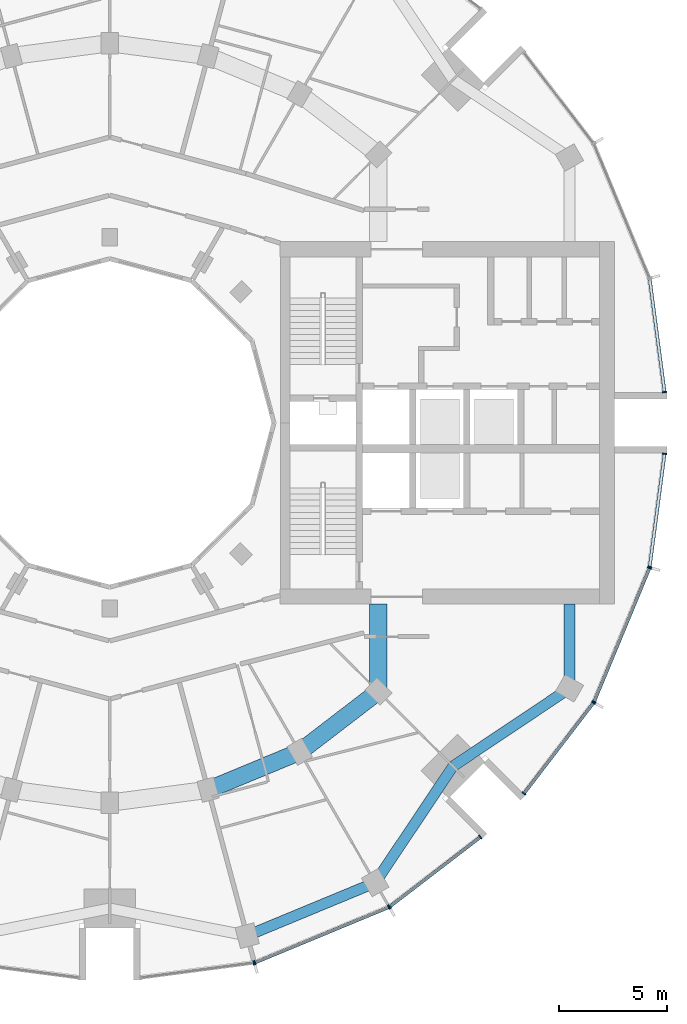
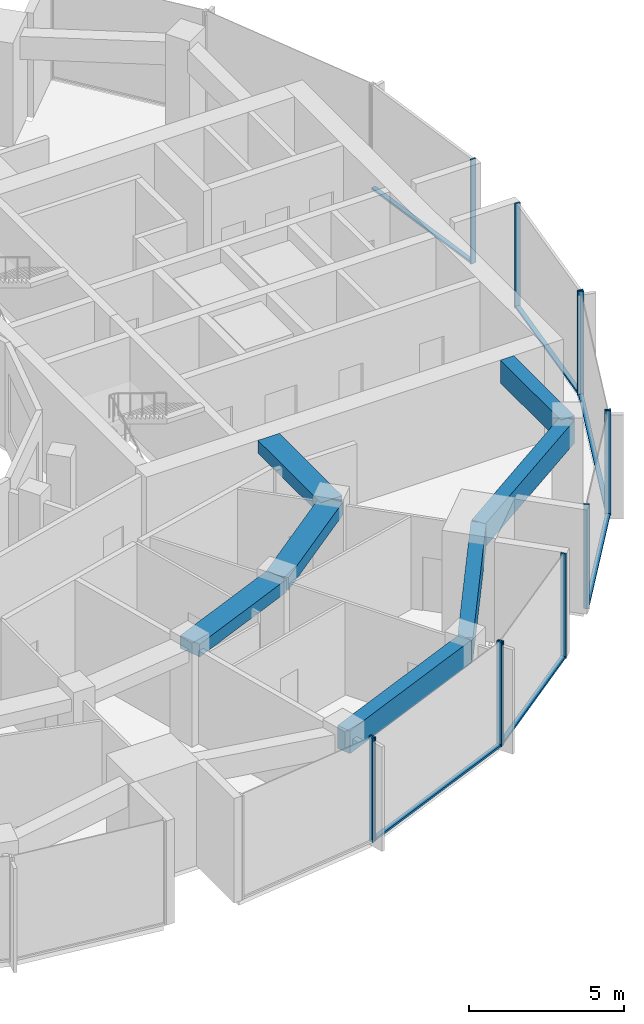
# One storey, part 4 of 15: 18 members, 7 beams, 7 elements without a shape of their own.
"""IFC4 building model written with IfcOpenShell, lengths in metres."""

from ifc_helpers import new_model, si_unit, direction, frame, origin, origin_2d, place, context, subcontext, project, spatial, rectangle, extrude, material, layer, layer_set, material_profile, profile_set, type_object, element, aggregate, save


model = new_model("IFC4")

# Units and contexts
model_context = context("Model", 3, precision=1e-05, world=origin(), true_north=direction((0.0, 1.0)))
body_context = subcontext(model_context, "Body", "Model", "MODEL_VIEW")
ifc_project = project(units=[si_unit("LENGTHUNIT", "METRE"), si_unit("AREAUNIT", "SQUARE_METRE"), si_unit("VOLUMEUNIT", "CUBIC_METRE"), si_unit("PLANEANGLEUNIT", "RADIAN"), si_unit("MASSUNIT", "GRAM", prefix="KILO")], contexts=[model_context])

# Site, building, storey
site_placement = place(None, origin())
site = spatial("IfcSite", under=ifc_project, at=site_placement, CompositionType="ELEMENT")
building_placement = place(site_placement, origin())
building = spatial("IfcBuilding", under=site, at=building_placement, Name="Torre Brocal", CompositionType="ELEMENT")
storey_placement = place(building_placement, frame((0.0, 0.0, 174.10009765625)))
storey = spatial("IfcBuildingStorey", under=building, at=storey_placement, Name="L40", CompositionType="ELEMENT", Elevation=174.10009765625)

# Curtain wall, member
ifc_material_1 = material(Name="Aluminium and glass", Category="aluminium")
ifc_layer_1 = layer(ifc_material_1, 0.199951171875)
ifc_layer_set_1 = layer_set([ifc_layer_1], Name="Aluminium and glass")
curtain_wall_type_1 = type_object("IfcCurtainWallType", Name="CW-1 CURTAIN WALL 4100 HIGH", PredefinedType="NOTDEFINED", material=ifc_layer_set_1)
curtain_wall_1_placement = place(storey_placement, origin())
curtain_wall_1 = element("IfcCurtainWall", 1, at=curtain_wall_1_placement, inside=storey, type_object=curtain_wall_type_1, Name="CW-1 RUN 19", PredefinedType="NOTDEFINED")
ifc_material_2 = material(Name="Aluminium, dark anodised", Category="aluminium")
ifc_material_profile_1 = material_profile(ifc_material_2, rectangle(XDim=0.199951171875, YDim=0.06005859375, at=origin_2d()), Name="CW-1 MULLION 60X200")
ifc_profile_set_1 = profile_set([ifc_material_profile_1], Name="Aluminium, dark anodised")
member_type_1 = type_object("IfcMemberType", Name="CW-1 MULLION 60X200", PredefinedType="MULLION", material=ifc_profile_set_1)
member_1_placement = place(storey_placement, frame((86.67333984375, 49.9794921875, 0.0), z_axis=(0.0, 0.0, 1.0), x_axis=(-0.13052619222, 0.991444861374, 0.0)))
member_1 = element("IfcMember", 2, at=member_1_placement, type_object=member_type_1, Name="CW1-4 mullion 2", PredefinedType="MULLION", context=body_context, shape_type="SweptSolid", body=[
    extrude(rectangle(XDim=0.199951171875, YDim=0.06005859375, at=origin_2d()), origin(), (0.0, 0.0, 1.0), 4.099853515625),
])
aggregate(curtain_wall_1, [member_1])

# Curtain wall, members
curtain_wall_2_placement = place(storey_placement, origin())
curtain_wall_2 = element("IfcCurtainWall", 3, at=curtain_wall_2_placement, inside=storey, type_object=curtain_wall_type_1, Name="CW-1 RUN 20", PredefinedType="NOTDEFINED")
member_2_placement = place(storey_placement, frame((86.73095703125, 49.994873046875, 0.0), z_axis=(0.0, 0.0, 1.0), x_axis=(-0.382683432333, 0.923879532525, 0.0)))
member_2 = element("IfcMember", 4, at=member_2_placement, type_object=member_type_1, Name="CW1-4 mullion 1", PredefinedType="MULLION", context=body_context, shape_type="SweptSolid", body=[
    extrude(rectangle(XDim=0.199951171875, YDim=0.06005859375, at=origin_2d()), origin(), (0.0, 0.0, 1.0), 4.099853515625),
])
member_3_placement = place(storey_placement, frame((92.921875, 52.559326171875, 0.0), z_axis=(0.0, 0.0, 1.0), x_axis=(-0.382683432333, 0.923879532525, 0.0)))
member_3 = element("IfcMember", 5, at=member_3_placement, type_object=member_type_1, Name="CW1-4 mullion 2", PredefinedType="MULLION", context=body_context, shape_type="SweptSolid", body=[
    extrude(rectangle(XDim=0.199951171875, YDim=0.06005859375, at=origin_2d()), origin(), (0.0, 0.0, 1.0), 4.099853515625),
])

curtain_wall_3_placement = place(storey_placement, origin())
curtain_wall_3 = element("IfcCurtainWall", 6, at=curtain_wall_3_placement, inside=storey, type_object=curtain_wall_type_1, Name="CW-1 RUN 21", PredefinedType="NOTDEFINED")
member_4_placement = place(storey_placement, frame((92.973388671875, 52.5888671875, 0.0), z_axis=(0.0, 0.0, 1.0), x_axis=(-0.60876142905, 0.793353340259, 0.0)))
member_4 = element("IfcMember", 7, at=member_4_placement, type_object=member_type_1, Name="CW1-4 mullion 1", PredefinedType="MULLION", context=body_context, shape_type="SweptSolid", body=[
    extrude(rectangle(XDim=0.199951171875, YDim=0.06005859375, at=origin_2d()), origin(), (0.0, 0.0, 1.0), 4.099853515625),
])
member_5_placement = place(storey_placement, frame((97.16943359375, 55.80859375, 0.0), z_axis=(0.0, 0.0, 1.0), x_axis=(-0.60876142905, 0.793353340259, 0.0)))
member_5 = element("IfcMember", 8, at=member_5_placement, type_object=member_type_1, Name="CW1-4 mullion 2", PredefinedType="MULLION", context=body_context, shape_type="SweptSolid", body=[
    extrude(rectangle(XDim=0.199951171875, YDim=0.06005859375, at=origin_2d()), origin(), (0.0, 0.0, 1.0), 4.099853515625),
])

curtain_wall_4_placement = place(storey_placement, origin())
curtain_wall_4 = element("IfcCurtainWall", 9, at=curtain_wall_4_placement, inside=storey, type_object=curtain_wall_type_1, Name="CW-1 RUN 22", PredefinedType="NOTDEFINED")
member_6_placement = place(storey_placement, frame((99.19140625, 57.83056640625, 0.0), z_axis=(0.0, 0.0, 1.0), x_axis=(-0.793353340259, 0.60876142905, 0.0)))
member_6 = element("IfcMember", 10, at=member_6_placement, type_object=member_type_1, Name="CW1-4 mullion 1", PredefinedType="MULLION", context=body_context, shape_type="SweptSolid", body=[
    extrude(rectangle(XDim=0.199951171875, YDim=0.06005859375, at=origin_2d()), origin(), (0.0, 0.0, 1.0), 4.099853515625),
])
member_7_placement = place(storey_placement, frame((102.4111328125, 62.026611328125, 0.0), z_axis=(0.0, 0.0, 1.0), x_axis=(-0.793353340259, 0.60876142905, 0.0)))
member_7 = element("IfcMember", 11, at=member_7_placement, type_object=member_type_1, Name="CW1-4 mullion 2", PredefinedType="MULLION", context=body_context, shape_type="SweptSolid", body=[
    extrude(rectangle(XDim=0.199951171875, YDim=0.06005859375, at=origin_2d()), origin(), (0.0, 0.0, 1.0), 4.099853515625),
])

curtain_wall_5_placement = place(storey_placement, origin())
curtain_wall_5 = element("IfcCurtainWall", 12, at=curtain_wall_5_placement, inside=storey, type_object=curtain_wall_type_1, Name="CW-1 RUN 23", PredefinedType="NOTDEFINED")
member_8_placement = place(storey_placement, frame((102.440673828125, 62.078125, 0.0), z_axis=(0.0, 0.0, 1.0), x_axis=(-0.923879532525, 0.382683432333, 0.0)))
member_8 = element("IfcMember", 13, at=member_8_placement, type_object=member_type_1, Name="CW1-4 mullion 1", PredefinedType="MULLION", context=body_context, shape_type="SweptSolid", body=[
    extrude(rectangle(XDim=0.199951171875, YDim=0.06005859375, at=origin_2d()), origin(), (0.0, 0.0, 1.0), 4.099853515625),
])
member_9_placement = place(storey_placement, frame((105.005126953125, 68.26904296875, 0.0), z_axis=(0.0, 0.0, 1.0), x_axis=(-0.923879532525, 0.382683432333, 0.0)))
member_9 = element("IfcMember", 14, at=member_9_placement, type_object=member_type_1, Name="CW1-4 mullion 2", PredefinedType="MULLION", context=body_context, shape_type="SweptSolid", body=[
    extrude(rectangle(XDim=0.199951171875, YDim=0.06005859375, at=origin_2d()), origin(), (0.0, 0.0, 1.0), 4.099853515625),
])

# Member
ifc_material_3 = material(Name="Aluminium, dark anodised", Category="aluminium")
ifc_material_profile_2 = material_profile(ifc_material_3, rectangle(XDim=0.159912109375, YDim=0.080078125, at=origin_2d()), Name="CW-1 TRANSOM 160X80")
ifc_profile_set_2 = profile_set([ifc_material_profile_2], Name="Aluminium, dark anodised")
member_type_2 = type_object("IfcMemberType", Name="CW-1 TRANSOM 160X80", PredefinedType="USERDEFINED", material=ifc_profile_set_2)
member_10_placement = place(storey_placement, frame((86.758544921875, 50.00634765625, 0.039794921875), z_axis=(0.923887344364, 0.38266457234, 0.0), x_axis=(-0.38266457234, 0.923887344364, 0.0)))
member_10 = element("IfcMember", 15, at=member_10_placement, type_object=member_type_2, Name="CW1-4 transom 1.1", ObjectType="TRANSOM", PredefinedType="USERDEFINED", context=body_context, shape_type="SweptSolid", body=[
    extrude(rectangle(XDim=0.159912109375, YDim=0.080078125, at=origin_2d()), origin(), (0.0, 0.0, 1.0), 6.640869140625),
])

aggregate(curtain_wall_2, [member_2, member_3, member_10])

member_11_placement = place(storey_placement, frame((92.9970703125, 52.607177734375, 0.039794921875), z_axis=(0.79336281513, 0.60874908096, 0.0), x_axis=(-0.60874908096, 0.79336281513, 0.0)))
member_11 = element("IfcMember", 16, at=member_11_placement, type_object=member_type_2, Name="CW1-4 transom 1.1", ObjectType="TRANSOM", PredefinedType="USERDEFINED", context=body_context, shape_type="SweptSolid", body=[
    extrude(rectangle(XDim=0.159912109375, YDim=0.080078125, at=origin_2d()), origin(), (0.0, 0.0, 1.0), 5.22900390625),
])

aggregate(curtain_wall_3, [member_4, member_5, member_11])

member_12_placement = place(storey_placement, frame((99.209716796875, 57.8544921875, 0.039794921875), z_axis=(0.60874908096, 0.79336281513, 0.0), x_axis=(-0.79336281513, 0.60874908096, 0.0)))
member_12 = element("IfcMember", 17, at=member_12_placement, type_object=member_type_2, Name="CW1-4 transom 1.1", ObjectType="TRANSOM", PredefinedType="USERDEFINED", context=body_context, shape_type="SweptSolid", body=[
    extrude(rectangle(XDim=0.159912109375, YDim=0.080078125, at=origin_2d()), origin(), (0.0, 0.0, 1.0), 5.22900390625),
])

aggregate(curtain_wall_4, [member_6, member_7, member_12])

member_13_placement = place(storey_placement, frame((102.452392578125, 62.10595703125, 0.039794921875), z_axis=(0.38266457234, 0.923887344364, 0.0), x_axis=(-0.923887344364, 0.38266457234, 0.0)))
member_13 = element("IfcMember", 18, at=member_13_placement, type_object=member_type_2, Name="CW1-4 transom 1.1", ObjectType="TRANSOM", PredefinedType="USERDEFINED", context=body_context, shape_type="SweptSolid", body=[
    extrude(rectangle(XDim=0.159912109375, YDim=0.080078125, at=origin_2d()), origin(), (0.0, 0.0, 1.0), 6.640869140625),
])

aggregate(curtain_wall_5, [member_8, member_9, member_13])

# Curtain wall, member
ifc_material_4 = material(Name="Aluminium and glass", Category="aluminium")
ifc_layer_2 = layer(ifc_material_4, 0.199951171875)
ifc_layer_set_2 = layer_set([ifc_layer_2], Name="Aluminium and glass")
curtain_wall_type_2 = type_object("IfcCurtainWallType", Name="CW-1B CURTAIN WALL 4100 HIGH", PredefinedType="NOTDEFINED", material=ifc_layer_set_2)
curtain_wall_6_placement = place(storey_placement, origin())
curtain_wall_6 = element("IfcCurtainWall", 19, at=curtain_wall_6_placement, inside=storey, type_object=curtain_wall_type_2, Name="CW-1B RUN 1", PredefinedType="NOTDEFINED")
ifc_material_5 = material(Name="Aluminium, dark anodised", Category="aluminium")
ifc_material_profile_3 = material_profile(ifc_material_5, rectangle(XDim=0.199951171875, YDim=0.06005859375, at=origin_2d()), Name="CW-1B MULLION 60X200")
ifc_profile_set_3 = profile_set([ifc_material_profile_3], Name="Aluminium, dark anodised")
member_type_3 = type_object("IfcMemberType", Name="CW-1B MULLION 60X200", PredefinedType="MULLION", material=ifc_profile_set_3)
member_14_placement = place(storey_placement, frame((105.7109375, 76.4296875, 0.0), z_axis=(0.0, 0.0, 1.0), x_axis=(-0.991444861374, -0.13052619222, 0.0)))
member_14 = element("IfcMember", 20, at=member_14_placement, type_object=member_type_3, Name="CW1B-4 mullion 1", PredefinedType="MULLION", context=body_context, shape_type="SweptSolid", body=[
    extrude(rectangle(XDim=0.199951171875, YDim=0.06005859375, at=origin_2d()), origin(), (0.0, 0.0, 1.0), 4.099853515625),
])

# Curtain wall, members
curtain_wall_7_placement = place(storey_placement, origin())
curtain_wall_7 = element("IfcCurtainWall", 21, at=curtain_wall_7_placement, inside=storey, type_object=curtain_wall_type_2, Name="CW-1B RUN 24", PredefinedType="NOTDEFINED")
member_15_placement = place(storey_placement, frame((105.0205078125, 68.32666015625, 0.0), z_axis=(0.0, 0.0, 1.0), x_axis=(-0.991444861374, 0.13052619222, 0.0)))
member_15 = element("IfcMember", 22, at=member_15_placement, type_object=member_type_3, Name="CW1B-4 mullion 1", PredefinedType="MULLION", context=body_context, shape_type="SweptSolid", body=[
    extrude(rectangle(XDim=0.199951171875, YDim=0.06005859375, at=origin_2d()), origin(), (0.0, 0.0, 1.0), 4.099853515625),
])
member_16_placement = place(storey_placement, frame((105.7109375, 73.5703125, 0.0), z_axis=(0.0, 0.0, 1.0), x_axis=(-0.991444861374, 0.13052619222, 0.0)))
member_16 = element("IfcMember", 23, at=member_16_placement, type_object=member_type_3, Name="CW1B-4 mullion 2", PredefinedType="MULLION", context=body_context, shape_type="SweptSolid", body=[
    extrude(rectangle(XDim=0.199951171875, YDim=0.06005859375, at=origin_2d()), origin(), (0.0, 0.0, 1.0), 4.099853515625),
])

# Member
ifc_material_6 = material(Name="Aluminium, dark anodised", Category="aluminium")
ifc_material_profile_4 = material_profile(ifc_material_6, rectangle(XDim=0.159912109375, YDim=0.080078125, at=origin_2d()), Name="CW-1B TRANSOM 160X80")
ifc_profile_set_4 = profile_set([ifc_material_profile_4], Name="Aluminium, dark anodised")
member_type_4 = type_object("IfcMemberType", Name="CW-1B TRANSOM 160X80", PredefinedType="USERDEFINED", material=ifc_profile_set_4)
member_17_placement = place(storey_placement, frame((105.70703125, 76.45947265625, 0.039794921875), z_axis=(-0.130542677827, 0.991442690863, 0.0), x_axis=(-0.991442690863, -0.130542677827, 0.0)))
member_17 = element("IfcMember", 24, at=member_17_placement, type_object=member_type_4, Name="CW1B-4 transom 1.1", ObjectType="TRANSOM", PredefinedType="USERDEFINED", context=body_context, shape_type="SweptSolid", body=[
    extrude(rectangle(XDim=0.159912109375, YDim=0.080078125, at=origin_2d()), origin(), (0.0, 0.0, 1.0), 5.22900390625),
])

aggregate(curtain_wall_6, [member_14, member_17])

member_18_placement = place(storey_placement, frame((105.0244140625, 68.356201171875, 0.039794921875), z_axis=(0.130542677827, 0.991442690863, 0.0), x_axis=(-0.991442690863, 0.130542677827, 0.0)))
member_18 = element("IfcMember", 25, at=member_18_placement, type_object=member_type_4, Name="CW1B-4 transom 1.1", ObjectType="TRANSOM", PredefinedType="USERDEFINED", context=body_context, shape_type="SweptSolid", body=[
    extrude(rectangle(XDim=0.159912109375, YDim=0.080078125, at=origin_2d()), origin(), (0.0, 0.0, 1.0), 5.22900390625),
])

aggregate(curtain_wall_7, [member_15, member_16, member_18])

# Beams
ifc_material_7 = material(Name="Concrete C50", Category="concrete")
ifc_material_profile_5 = material_profile(ifc_material_7, rectangle(XDim=0.800048828125, YDim=0.5, at=origin_2d()), Name="RC 800X500")
ifc_profile_set_5 = profile_set([ifc_material_profile_5], Name="Concrete C50")
beam_type_1 = type_object("IfcBeamType", Name="RC BEAM 800X500 C50 TOP 3780", PredefinedType="BEAM", material=ifc_profile_set_5)
beam_1_placement = place(storey_placement, frame((84.55517578125, 57.999755859375, 3.52978515625), z_axis=(0.923878240166, 0.382686552348, 0.0), x_axis=(-0.382686552348, 0.923878240166, 0.0)))
element("IfcBeam", 26, at=beam_1_placement, inside=storey, type_object=beam_type_1, Name="Beam BT-32", PredefinedType="BEAM", context=body_context, shape_type="SweptSolid", body=[
    extrude(rectangle(XDim=0.800048828125, YDim=0.5, at=origin_2d()), origin(), (0.0, 0.0, 1.0), 4.5947265625),
])
beam_2_placement = place(storey_placement, frame((88.800048828125, 59.758056640625, 3.52978515625), z_axis=(0.793358265959, 0.6087550097, 0.0), x_axis=(-0.6087550097, 0.793358265959, 0.0)))
element("IfcBeam", 27, at=beam_2_placement, inside=storey, type_object=beam_type_1, Name="Beam BT-32", PredefinedType="BEAM", context=body_context, shape_type="SweptSolid", body=[
    extrude(rectangle(XDim=0.800048828125, YDim=0.5, at=origin_2d()), origin(), (0.0, 0.0, 1.0), 4.594482421875),
])
beam_3_placement = place(storey_placement, frame((92.445068359375, 62.554931640625, 3.52978515625), z_axis=(0.0, 1.0, 0.0), x_axis=(-1.0, 0.0, 0.0)))
element("IfcBeam", 28, at=beam_3_placement, inside=storey, type_object=beam_type_1, Name="Beam BT-32", PredefinedType="BEAM", context=body_context, shape_type="SweptSolid", body=[
    extrude(rectangle(XDim=0.800048828125, YDim=0.5, at=origin_2d()), origin(), (0.0, 0.0, 1.0), 4.045166015625),
])
ifc_material_8 = material(Name="Concrete C50", Category="concrete")
ifc_material_profile_6 = material_profile(ifc_material_8, rectangle(XDim=0.5, YDim=0.89990234375, at=origin_2d()), Name="RC 500X900")
ifc_profile_set_6 = profile_set([ifc_material_profile_6], Name="Concrete C50")
beam_type_2 = type_object("IfcBeamType", Name="RC SPANDREL BEAM 500X900 C50 TOP 3780", PredefinedType="SPANDREL", material=ifc_profile_set_6)
beam_4_placement = place(storey_placement, frame((86.366943359375, 51.23828125, 3.329833984375), z_axis=(0.923882462513, 0.382676358639, 0.0), x_axis=(-0.382676358639, 0.923882462513, 0.0)))
element("IfcBeam", 29, at=beam_4_placement, inside=storey, type_object=beam_type_2, Name="Beam BT-33", PredefinedType="SPANDREL", context=body_context, shape_type="SweptSolid", body=[
    extrude(rectangle(XDim=0.5, YDim=0.89990234375, at=origin_2d()), origin(), (0.0, 0.0, 1.0), 6.421875),
])
for number, where, z_axis, x_axis, name in (
    (30, (92.300048828125, 53.69580078125, 3.329833984375), (0.556157602282, 0.831076844476, 0.0), (-0.831076844476, 0.556157602282, 0.0), "Beam BT-33"),
    (31, (95.909912109375, 59.090087890625, 3.329833984375), (0.831076844476, 0.556157602282, 0.0), (-0.556157602282, 0.831076844476, 0.0), "Beam BT-33"),
):
    element("IfcBeam", number, at=place(storey_placement, frame(where, z_axis=z_axis, x_axis=x_axis)), inside=storey, type_object=beam_type_2, Name=name, PredefinedType="SPANDREL", context=body_context, shape_type="SweptSolid", body=[
        extrude(rectangle(XDim=0.5, YDim=0.89990234375, at=origin_2d()), origin(), (0.0, 0.0, 1.0), 6.49072265625),
    ])
beam_5_placement = place(storey_placement, frame((101.30419921875, 62.699951171875, 3.329833984375), z_axis=(0.0, 1.0, 0.0), x_axis=(-1.0, 0.0, 0.0)))
element("IfcBeam", 32, at=beam_5_placement, inside=storey, type_object=beam_type_2, Name="Beam BT-33", PredefinedType="SPANDREL", context=body_context, shape_type="SweptSolid", body=[
    extrude(rectangle(XDim=0.5, YDim=0.89990234375, at=origin_2d()), origin(), (0.0, 0.0, 1.0), 3.900146484375),
])

save(model, "model.ifc")
